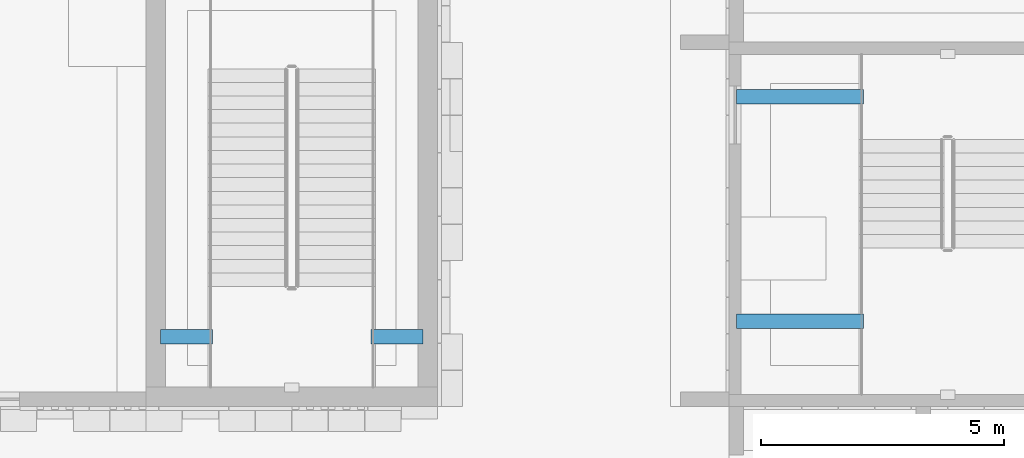
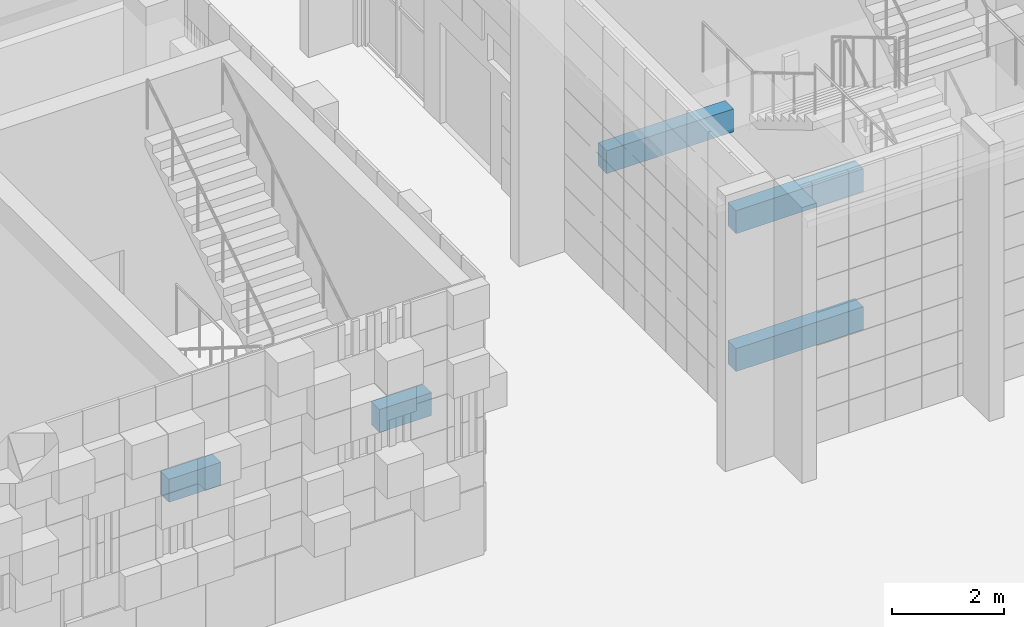
# One storey, part 23 of 125: 5 beams.
"""IFC4 building model written with IfcOpenShell, lengths in metres."""

from ifc_helpers import new_model, si_unit, direction, frame, origin, origin_2d, place, context, subcontext, project, spatial, rectangle, extrude, material, material_profile, profile_set, type_object, element, save


model = new_model("IFC4")

# Units and contexts
model_context = context("Model", 3, precision=1e-05, world=origin(), true_north=direction((0.0, 1.0)))
body_context = subcontext(model_context, "Body", "Model", "MODEL_VIEW")
ifc_project = project(units=[si_unit("LENGTHUNIT", "METRE"), si_unit("AREAUNIT", "SQUARE_METRE"), si_unit("VOLUMEUNIT", "CUBIC_METRE"), si_unit("PLANEANGLEUNIT", "RADIAN"), si_unit("MASSUNIT", "GRAM", prefix="KILO")], contexts=[model_context])

# Site, building, storey
site_placement = place(None, origin())
site = spatial("IfcSite", under=ifc_project, at=site_placement, CompositionType="ELEMENT")
building_placement = place(site_placement, origin())
building = spatial("IfcBuilding", under=site, at=building_placement, Name="Sun Court Science Centre", CompositionType="ELEMENT")
storey_placement = place(building_placement, origin())
storey = spatial("IfcBuildingStorey", under=building, at=storey_placement, Name="L00", CompositionType="ELEMENT", Elevation=0.0)

# Beams
ifc_material = material(Name="Concrete C25/30", Category="concrete")
ifc_material_profile = material_profile(ifc_material, rectangle(XDim=0.300048828125, YDim=0.5, at=origin_2d()), Name="RC 300x500")
ifc_profile_set = profile_set([ifc_material_profile], Name="Concrete C25/30")
beam_type = type_object("IfcBeamType", Name="RC landing trimmer 300x500", PredefinedType="BEAM", material=ifc_profile_set)
for number, where, z_axis, x_axis, name in (
    (1, (66.300048828125, 7.43603515625, 2.550048828125), (1.0, 0.0, 0.0), (0.0, 1.0, 0.0), "SB3 landing 1 trimmer beam 1"),
    (2, (71.699951171875, 7.43603515625, 2.550048828125), (-1.0, 0.0, 0.0), (0.0, -1.0, 0.0), "SB3 landing 1 trimmer beam 2"),
):
    element("IfcBeam", number, at=place(storey_placement, frame(where, z_axis=z_axis, x_axis=x_axis)), inside=storey, type_object=beam_type, Name=name, PredefinedType="BEAM", context=body_context, shape_type="SweptSolid", body=[
        extrude(rectangle(XDim=0.300048828125, YDim=0.5, at=origin_2d()), origin(), (0.0, 0.0, 1.0), 1.06689453125),
    ])
for number, where, z_axis, x_axis, name in (
    (3, (78.14990234375, 7.756103515625, 1.050048828125), (1.0, 0.0, 0.0), (0.0, 1.0, 0.0), "SL1 landing 1 trimmer beam 1"),
    (4, (78.14990234375, 12.3759765625, 2.550048828125), (1.0, 0.0, 0.0), (0.0, 1.0, 0.0), "SL1 landing 2 trimmer beam 4"),
    (5, (78.14990234375, 7.756103515625, 4.050048828125), (1.0, 0.0, 0.0), (0.0, 1.0, 0.0), "SL1 landing 3 trimmer beam 7"),
):
    element("IfcBeam", number, at=place(storey_placement, frame(where, z_axis=z_axis, x_axis=x_axis)), inside=storey, type_object=beam_type, Name=name, PredefinedType="BEAM", context=body_context, shape_type="SweptSolid", body=[
        extrude(rectangle(XDim=0.300048828125, YDim=0.5, at=origin_2d()), origin(), (0.0, 0.0, 1.0), 2.6171875),
    ])

save(model, "model.ifc")
